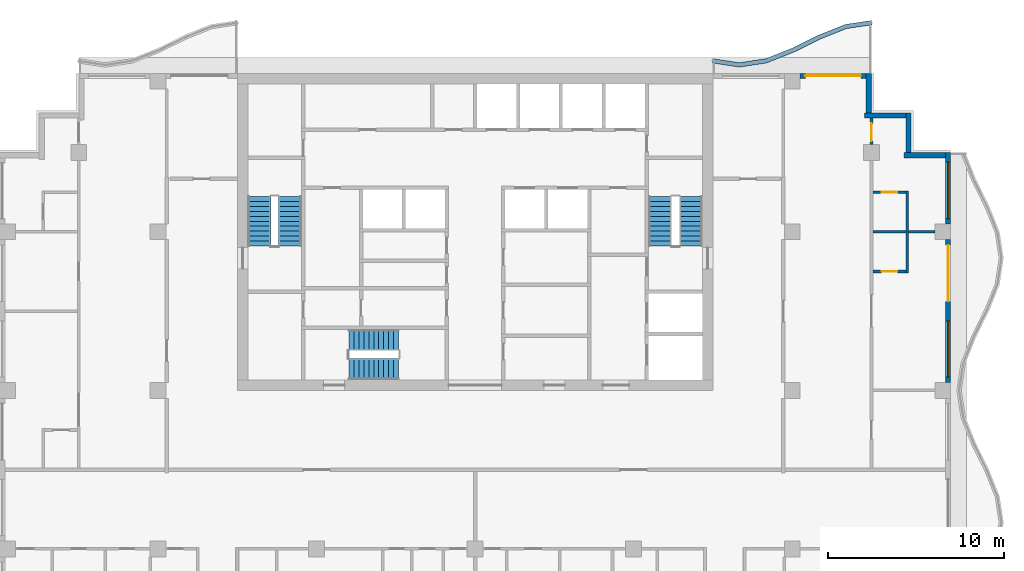
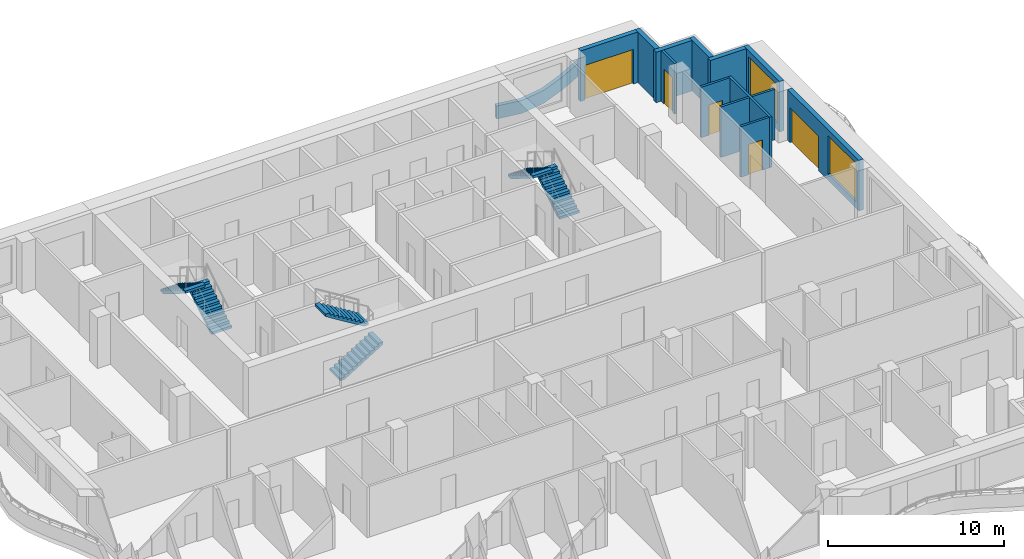
# One storey, part 7 of 11: 14 walls, 6 stair flights, 5 doors, 2 windows, 7 openings, 3 elements without a shape of their own.
"""IFC4 building model written with IfcOpenShell, lengths in metres."""

from ifc_helpers import new_model, si_unit, direction, frame, frame_2d, origin, place, context, subcontext, project, spatial, polyline, rectangle, outline, extrude, material, layer, layer_set, type_object, element, fill, aggregate, save


model = new_model("IFC4")

# Units and contexts
model_context = context("Model", 3, precision=1e-05, world=origin(), true_north=direction((0.0, 1.0)))
body_context = subcontext(model_context, "Body", "Model", "MODEL_VIEW")
ifc_project = project(units=[si_unit("LENGTHUNIT", "METRE"), si_unit("AREAUNIT", "SQUARE_METRE"), si_unit("VOLUMEUNIT", "CUBIC_METRE"), si_unit("PLANEANGLEUNIT", "RADIAN"), si_unit("MASSUNIT", "GRAM", prefix="KILO")], contexts=[model_context])

# Site, building, storey
site_placement = place(None, origin())
site = spatial("IfcSite", under=ifc_project, at=site_placement, CompositionType="ELEMENT")
building_placement = place(site_placement, origin())
building = spatial("IfcBuilding", under=site, at=building_placement, Name="Orbiselva Terraces", CompositionType="ELEMENT")
storey_placement = place(building_placement, frame((0.0, 0.0, 280.6)))
storey = spatial("IfcBuildingStorey", under=building, at=storey_placement, Name="L71", CompositionType="ELEMENT", Elevation=280.6)

# Wall
ifc_material_1 = material(Name="Concrete C40/50", Category="concrete")
ifc_layer_1 = layer(ifc_material_1, 0.25)
ifc_layer_set_1 = layer_set([ifc_layer_1], Name="Concrete C40/50")
wall_type_1 = type_object("IfcWallType", Name="ENV-PLANTER-250x900", PredefinedType="USERDEFINED", material=ifc_layer_set_1)
wall_1_placement = place(storey_placement, origin())
element("IfcWall", 1, at=wall_1_placement, inside=storey, type_object=wall_type_1, Name="Balcony planter L71 NE", ObjectType="PLANTER", PredefinedType="USERDEFINED", context=body_context, shape_type="SweptSolid", body=[
    extrude(outline(polyline([(22.5, 25.5), (21.0, 25.27082), (19.5, 24.67082), (18.0, 23.92918), (16.5, 23.32918), (15.0, 23.1), (13.5, 23.32918), (13.462242, 23.082048), (15.0, 22.847099), (16.566166, 23.086388), (18.101983, 23.700715), (19.601983, 24.442355), (21.066166, 25.028028), (22.537758, 25.252868), (22.5, 25.5)])), origin(), (0.0, 0.0, 1.0), 0.9),
])

# Wall, openings, door, window
ifc_material_2 = material(Name="Terracotta cladding on masonry backing", Category="masonry")
ifc_layer_2 = layer(ifc_material_2, 0.3)
ifc_layer_set_2 = layer_set([ifc_layer_2], Name="Terracotta cladding on masonry backing")
wall_type_2 = type_object("IfcWallType", Name="ENV-WALL-TERRACOTTA-300", PredefinedType="SOLIDWALL", material=ifc_layer_set_2)
wall_2_placement = place(storey_placement, frame((26.85, 13.05, 0.0), z_axis=(0.0, 0.0, 1.0), x_axis=(0.0, -1.0, 0.0)))
wall_2 = element("IfcWall", 2, at=wall_2_placement, inside=storey, type_object=wall_type_2, Name="Facade wall L71 E", PredefinedType="SOLIDWALL", context=body_context, shape_type="SweptSolid", body=[
    extrude(rectangle(XDim=8.1, YDim=0.3, at=frame_2d((4.05, 0.0))), origin(), (0.0, 0.0, 1.0), 3.5),
])
opening_1_placement = place(wall_2_placement, frame((4.6, 0.0, 0.45)))
opening_1 = element("IfcOpeningElement", 3, at=opening_1_placement, cuts=wall_2, Name="Opening WN17", PredefinedType="OPENING", context=body_context, shape_type="SweptSolid", body=[
    extrude(rectangle(XDim=3.2, YDim=2.65, at=frame_2d((1.6, 1.325))), frame((0.0, 0.16, 0.0), z_axis=(0.0, -1.0, 0.0), x_axis=(1.0, 0.0, 0.0)), (0.0, 0.0, 1.0), 0.32),
])
opening_2_placement = place(wall_2_placement, frame((0.3, 0.0, 0.0)))
opening_2 = element("IfcOpeningElement", 4, at=opening_2_placement, cuts=wall_2, Name="Opening Z5-D-E15", PredefinedType="OPENING", context=body_context, shape_type="SweptSolid", body=[
    extrude(rectangle(XDim=3.2, YDim=2.4, at=frame_2d((1.6, 1.2))), frame((0.0, 0.16, 0.0), z_axis=(0.0, -1.0, 0.0), x_axis=(1.0, 0.0, 0.0)), (0.0, 0.0, 1.0), 0.32),
])
ifc_material_3 = material(Name="Clear low-e glazing in aluminium frame", Category="aluminium")
door_type_1 = type_object("IfcDoorType", Name="BALCONY DOOR 3200 X 2400", OperationType="DOUBLE_DOOR_SLIDING", PredefinedType="DOOR", material=ifc_material_3)
door_1_placement = place(opening_2_placement, origin())
door_1 = element("IfcDoor", 5, at=door_1_placement, inside=storey, type_object=door_type_1, Name="Z5-D-E15", OperationType="SINGLE_SWING_LEFT", OverallHeight=2.4, OverallWidth=3.2, PredefinedType="DOOR", context=body_context, shape_type="SweptSolid", body=[
    extrude(rectangle(XDim=3.2, YDim=2.4, at=frame_2d((1.6, 1.2))), frame((0.0, 0.025, 0.0), z_axis=(0.0, -1.0, 0.0), x_axis=(1.0, 0.0, 0.0)), (0.0, 0.0, 1.0), 0.05),
])
fill(opening_2, door_1)
window_type = type_object("IfcWindowType", Name="WINDOW 3200 X 2650 S450", PartitioningType="TRIPLE_PANEL_VERTICAL", PredefinedType="WINDOW", material=ifc_material_3)
window_1_placement = place(opening_1_placement, origin())
window_1 = element("IfcWindow", 6, at=window_1_placement, inside=storey, type_object=window_type, Name="Window L71 E", OverallHeight=2.65, OverallWidth=3.2, PartitioningType="SINGLE_PANEL", PredefinedType="WINDOW", context=body_context, shape_type="SweptSolid", body=[
    extrude(rectangle(XDim=3.2, YDim=2.65, at=frame_2d((1.6, 1.325))), frame((0.0, 0.03, 0.0), z_axis=(0.0, -1.0, 0.0), x_axis=(1.0, 0.0, 0.0)), (0.0, 0.0, 1.0), 0.06),
])
fill(opening_1, window_1)

# Wall, opening, window
wall_3_placement = place(storey_placement, frame((26.85, 18.0, 0.0), z_axis=(0.0, 0.0, 1.0), x_axis=(0.0, -1.0, 0.0)))
wall_3 = element("IfcWall", 7, at=wall_3_placement, inside=storey, type_object=wall_type_2, Name="Facade wall L71 E", PredefinedType="SOLIDWALL", context=body_context, shape_type="SweptSolid", body=[
    extrude(rectangle(XDim=4.05, YDim=0.3, at=frame_2d((2.025, 0.0))), origin(), (0.0, 0.0, 1.0), 3.5),
])
opening_3_placement = place(wall_3_placement, frame((0.55, 0.0, 0.45)))
opening_3 = element("IfcOpeningElement", 8, at=opening_3_placement, cuts=wall_3, Name="Opening WN17", PredefinedType="OPENING", context=body_context, shape_type="SweptSolid", body=[
    extrude(rectangle(XDim=3.2, YDim=2.65, at=frame_2d((1.6, 1.325))), frame((0.0, 0.16, 0.0), z_axis=(0.0, -1.0, 0.0), x_axis=(1.0, 0.0, 0.0)), (0.0, 0.0, 1.0), 0.32),
])
window_2_placement = place(opening_3_placement, origin())
window_2 = element("IfcWindow", 9, at=window_2_placement, inside=storey, type_object=window_type, Name="Window L71 E", OverallHeight=2.65, OverallWidth=3.2, PartitioningType="SINGLE_PANEL", PredefinedType="WINDOW", context=body_context, shape_type="SweptSolid", body=[
    extrude(rectangle(XDim=3.2, YDim=2.65, at=frame_2d((1.6, 1.325))), frame((0.0, 0.03, 0.0), z_axis=(0.0, -1.0, 0.0), x_axis=(1.0, 0.0, 0.0)), (0.0, 0.0, 1.0), 0.06),
])
fill(opening_3, window_2)

# Walls
wall_4_placement = place(storey_placement, frame((24.35, 17.85, 0.0), z_axis=(0.0, 0.0, 1.0), x_axis=(1.0, 0.0, 0.0)))
element("IfcWall", 10, at=wall_4_placement, inside=storey, type_object=wall_type_2, Name="Facade wall L71 STEP", PredefinedType="SOLIDWALL", context=body_context, shape_type="SweptSolid", body=[
    extrude(rectangle(XDim=2.35, YDim=0.3, at=frame_2d((1.175, 0.0))), origin(), (0.0, 0.0, 1.0), 3.5),
])
wall_5_placement = place(storey_placement, frame((24.6, 20.25, 0.0), z_axis=(0.0, 0.0, 1.0), x_axis=(0.0, -1.0, 0.0)))
element("IfcWall", 11, at=wall_5_placement, inside=storey, type_object=wall_type_2, Name="Facade wall L71 STEP", PredefinedType="SOLIDWALL", context=body_context, shape_type="SweptSolid", body=[
    extrude(rectangle(XDim=2.25, YDim=0.3, at=frame_2d((1.125, 0.0))), origin(), (0.0, 0.0, 1.0), 3.5),
])
wall_6_placement = place(storey_placement, frame((22.1, 20.1, 0.0), z_axis=(0.0, 0.0, 1.0), x_axis=(1.0, 0.0, 0.0)))
element("IfcWall", 12, at=wall_6_placement, inside=storey, type_object=wall_type_2, Name="Facade wall L71 STEP", PredefinedType="SOLIDWALL", context=body_context, shape_type="SweptSolid", body=[
    extrude(rectangle(XDim=2.35, YDim=0.3, at=frame_2d((1.175, 0.0))), origin(), (0.0, 0.0, 1.0), 3.5),
])
wall_7_placement = place(storey_placement, frame((22.35, 22.5, 0.0), z_axis=(0.0, 0.0, 1.0), x_axis=(0.0, -1.0, 0.0)))
element("IfcWall", 13, at=wall_7_placement, inside=storey, type_object=wall_type_2, Name="Facade wall L71 STEP", PredefinedType="SOLIDWALL", context=body_context, shape_type="SweptSolid", body=[
    extrude(rectangle(XDim=2.25, YDim=0.3, at=frame_2d((1.125, 0.0))), origin(), (0.0, 0.0, 1.0), 3.5),
])

# Wall, opening, door
wall_8_placement = place(storey_placement, frame((18.45, 22.35, 0.0), z_axis=(0.0, 0.0, 1.0), x_axis=(1.0, 0.0, 0.0)))
wall_8 = element("IfcWall", 14, at=wall_8_placement, inside=storey, type_object=wall_type_2, Name="Facade wall L71 NE", PredefinedType="SOLIDWALL", context=body_context, shape_type="SweptSolid", body=[
    extrude(rectangle(XDim=3.75, YDim=0.3, at=frame_2d((1.875, 0.0))), origin(), (0.0, 0.0, 1.0), 3.5),
])
opening_4_placement = place(wall_8_placement, frame((0.3, 0.0, 0.0)))
opening_4 = element("IfcOpeningElement", 15, at=opening_4_placement, cuts=wall_8, Name="Opening Z5-D-E07", PredefinedType="OPENING", context=body_context, shape_type="SweptSolid", body=[
    extrude(rectangle(XDim=3.15, YDim=2.4, at=frame_2d((1.575, 1.2))), frame((0.0, 0.16, 0.0), z_axis=(0.0, -1.0, 0.0), x_axis=(1.0, 0.0, 0.0)), (0.0, 0.0, 1.0), 0.32),
])
door_type_2 = type_object("IfcDoorType", Name="BALCONY DOOR 3150 X 2400", OperationType="DOUBLE_DOOR_SLIDING", PredefinedType="DOOR", material=ifc_material_3)
door_2_placement = place(opening_4_placement, origin())
door_2 = element("IfcDoor", 16, at=door_2_placement, inside=storey, type_object=door_type_2, Name="Z5-D-E07", OperationType="SINGLE_SWING_LEFT", OverallHeight=2.4, OverallWidth=3.15, PredefinedType="DOOR", context=body_context, shape_type="SweptSolid", body=[
    extrude(rectangle(XDim=3.15, YDim=2.4, at=frame_2d((1.575, 1.2))), frame((0.0, 0.025, 0.0), z_axis=(0.0, -1.0, 0.0), x_axis=(1.0, 0.0, 0.0)), (0.0, 0.0, 1.0), 0.05),
])
fill(opening_4, door_2)

ifc_material_4 = material(Name="Plasterboard on steel stud partition", Category="steel")
ifc_layer_3 = layer(ifc_material_4, 0.15)
ifc_layer_set_3 = layer_set([ifc_layer_3], Name="Plasterboard on steel stud partition")
wall_type_3 = type_object("IfcWallType", Name="UNIT-PARTITION-150", PredefinedType="PARTITIONING", material=ifc_layer_set_3)
wall_9_placement = place(storey_placement, frame((22.575, 11.25, 0.0), z_axis=(0.0, 0.0, 1.0), x_axis=(1.0, 0.0, 0.0)))
wall_9 = element("IfcWall", 17, at=wall_9_placement, inside=storey, type_object=wall_type_3, Name="PARTITION L71-033", PredefinedType="PARTITIONING", context=body_context, shape_type="SweptSolid", body=[
    extrude(rectangle(XDim=1.875, YDim=0.15, at=frame_2d((0.9375, 0.0))), origin(), (0.0, 0.0, 1.0), 3.5),
])
opening_5_placement = place(wall_9_placement, frame((0.5, 0.0, 0.0)))
opening_5 = element("IfcOpeningElement", 18, at=opening_5_placement, cuts=wall_9, Name="Opening Z5-D-12", PredefinedType="OPENING", context=body_context, shape_type="SweptSolid", body=[
    extrude(rectangle(XDim=0.9, YDim=2.1, at=frame_2d((0.45, 1.05))), frame((0.0, 0.085, 0.0), z_axis=(0.0, -1.0, 0.0), x_axis=(1.0, 0.0, 0.0)), (0.0, 0.0, 1.0), 0.17),
])
ifc_material_5 = material(Name="Painted timber door leaf", Category="wood")
door_type_3 = type_object("IfcDoorType", Name="BATH DOOR 900", OperationType="NOTDEFINED", PredefinedType="DOOR", material=ifc_material_5)
door_3_placement = place(opening_5_placement, origin())
door_3 = element("IfcDoor", 19, at=door_3_placement, inside=storey, type_object=door_type_3, Name="Z5-D-12", OperationType="SINGLE_SWING_RIGHT", OverallHeight=2.1, OverallWidth=0.9, PredefinedType="DOOR", context=body_context, shape_type="SweptSolid", body=[
    extrude(rectangle(XDim=0.9, YDim=2.1, at=frame_2d((0.45, 1.05))), frame((0.0, 0.025, 0.0), z_axis=(0.0, -1.0, 0.0), x_axis=(1.0, 0.0, 0.0)), (0.0, 0.0, 1.0), 0.05),
])
fill(opening_5, door_3)

# Walls
wall_10_placement = place(storey_placement, frame((22.575, 13.5, 0.0), z_axis=(0.0, 0.0, 1.0), x_axis=(1.0, 0.0, 0.0)))
element("IfcWall", 20, at=wall_10_placement, inside=storey, type_object=wall_type_3, Name="PARTITION L71-035", PredefinedType="PARTITIONING", context=body_context, shape_type="SweptSolid", body=[
    extrude(rectangle(XDim=1.875, YDim=0.15, at=frame_2d((0.9375, 0.0))), origin(), (0.0, 0.0, 1.0), 3.5),
])
wall_11_placement = place(storey_placement, frame((24.6, 13.5, 0.0), z_axis=(0.0, 0.0, 1.0), x_axis=(1.0, 0.0, 0.0)))
element("IfcWall", 21, at=wall_11_placement, inside=storey, type_object=wall_type_3, Name="PARTITION L71-036", PredefinedType="PARTITIONING", context=body_context, shape_type="SweptSolid", body=[
    extrude(rectangle(XDim=1.5, YDim=0.15, at=frame_2d((0.75, 0.0))), origin(), (0.0, 0.0, 1.0), 3.5),
])

# Wall, opening, door
wall_12_placement = place(storey_placement, frame((24.45, 15.75, 0.0), z_axis=(0.0, 0.0, 1.0), x_axis=(-1.0, 0.0, 0.0)))
wall_12 = element("IfcWall", 22, at=wall_12_placement, inside=storey, type_object=wall_type_3, Name="PARTITION L71-038", PredefinedType="PARTITIONING", context=body_context, shape_type="SweptSolid", body=[
    extrude(rectangle(XDim=1.875, YDim=0.15, at=frame_2d((0.9375, 0.0))), origin(), (0.0, 0.0, 1.0), 3.5),
])
opening_6_placement = place(wall_12_placement, frame((0.475, 0.0, 0.0)))
opening_6 = element("IfcOpeningElement", 23, at=opening_6_placement, cuts=wall_12, Name="Opening Z5-D-14", PredefinedType="OPENING", context=body_context, shape_type="SweptSolid", body=[
    extrude(rectangle(XDim=0.9, YDim=2.1, at=frame_2d((0.45, 1.05))), frame((0.0, 0.085, 0.0), z_axis=(0.0, -1.0, 0.0), x_axis=(1.0, 0.0, 0.0)), (0.0, 0.0, 1.0), 0.17),
])
door_4_placement = place(opening_6_placement, origin())
door_4 = element("IfcDoor", 24, at=door_4_placement, inside=storey, type_object=door_type_3, Name="Z5-D-14", OperationType="SINGLE_SWING_LEFT", OverallHeight=2.1, OverallWidth=0.9, PredefinedType="DOOR", context=body_context, shape_type="SweptSolid", body=[
    extrude(rectangle(XDim=0.9, YDim=2.1, at=frame_2d((0.45, 1.05))), frame((0.0, 0.025, 0.0), z_axis=(0.0, -1.0, 0.0), x_axis=(1.0, 0.0, 0.0)), (0.0, 0.0, 1.0), 0.05),
])
fill(opening_6, door_4)

wall_13_placement = place(storey_placement, frame((22.5, 19.95, 0.0), z_axis=(0.0, 0.0, 1.0), x_axis=(0.0, -1.0, 0.0)))
wall_13 = element("IfcWall", 25, at=wall_13_placement, inside=storey, type_object=wall_type_3, Name="PARTITION L71-089", PredefinedType="PARTITIONING", context=body_context, shape_type="SweptSolid", body=[
    extrude(rectangle(XDim=1.5, YDim=0.15, at=frame_2d((0.75, 0.0))), origin(), (0.0, 0.0, 1.0), 3.5),
])
opening_7_placement = place(wall_13_placement, frame((0.3, 0.0, 0.0)))
opening_7 = element("IfcOpeningElement", 26, at=opening_7_placement, cuts=wall_13, Name="Opening Z5-D-13", PredefinedType="OPENING", context=body_context, shape_type="SweptSolid", body=[
    extrude(rectangle(XDim=1.0, YDim=2.4, at=frame_2d((0.5, 1.2))), frame((0.0, 0.085, 0.0), z_axis=(0.0, -1.0, 0.0), x_axis=(1.0, 0.0, 0.0)), (0.0, 0.0, 1.0), 0.17),
])
door_type_4 = type_object("IfcDoorType", Name="ROOM DOOR 1000", OperationType="NOTDEFINED", PredefinedType="DOOR", material=ifc_material_5)
door_5_placement = place(opening_7_placement, origin())
door_5 = element("IfcDoor", 27, at=door_5_placement, inside=storey, type_object=door_type_4, Name="Z5-D-13", OperationType="SINGLE_SWING_RIGHT", OverallHeight=2.4, OverallWidth=1.0, PredefinedType="DOOR", context=body_context, shape_type="SweptSolid", body=[
    extrude(rectangle(XDim=1.0, YDim=2.4, at=frame_2d((0.5, 1.2))), frame((0.0, 0.025, 0.0), z_axis=(0.0, -1.0, 0.0), x_axis=(1.0, 0.0, 0.0)), (0.0, 0.0, 1.0), 0.05),
])
fill(opening_7, door_5)

# Wall
wall_14_placement = place(storey_placement, frame((24.525, 11.175, 0.0), z_axis=(0.0, 0.0, 1.0), x_axis=(0.0, 1.0, 0.0)))
element("IfcWall", 28, at=wall_14_placement, inside=storey, type_object=wall_type_3, Name="PARTITION L71-091", PredefinedType="PARTITIONING", context=body_context, shape_type="SweptSolid", body=[
    extrude(rectangle(XDim=4.65, YDim=0.15, at=frame_2d((2.325, 0.0))), origin(), (0.0, 0.0, 1.0), 3.5),
])

# Stair, stair flights
stair_type_1 = type_object("IfcStairType", Name="CORE-STAIR-1200", PredefinedType="HALF_TURN_STAIR", material=ifc_material_1)
stair_1_placement = place(storey_placement, origin())
stair_1 = element("IfcStair", 29, at=stair_1_placement, inside=storey, type_object=stair_type_1, Name="L71 Exit Stair S3", PredefinedType="HALF_TURN_STAIR")
stair_flight_type_1 = type_object("IfcStairFlightType", Name="CORE-STAIR-FLIGHT-1200", PredefinedType="STRAIGHT", material=ifc_material_1)
stair_flight_1_placement = place(storey_placement, frame((-7.15, 5.7, 0.0), z_axis=(0.0, 0.0, 1.0), x_axis=(1.0, 0.0, 0.0)))
stair_flight_1 = element("IfcStairFlight", 30, at=stair_flight_1_placement, type_object=stair_flight_type_1, Name="S3 flight 1", NumberOfRisers=11, NumberOfTreads=10, PredefinedType="STRAIGHT", RiserHeight=0.172727273, TreadLength=0.28, context=body_context, shape_type="SweptSolid", body=[
    extrude(outline(polyline([(0.0, 0.0), (0.0, 0.172727), (0.28, 0.172727), (0.28, 0.345455), (0.56, 0.345455), (0.56, 0.518182), (0.84, 0.518182), (0.84, 0.690909), (1.12, 0.690909), (1.12, 0.863636), (1.4, 0.863636), (1.4, 1.036364), (1.68, 1.036364), (1.68, 1.209091), (1.96, 1.209091), (1.96, 1.381818), (2.24, 1.381818), (2.24, 1.554545), (2.52, 1.554545), (2.52, 1.727273), (2.8, 1.727273), (2.8, 1.9), (2.8, 1.551028), (0.285702, 0.0), (0.0, 0.0)])), frame((0.0, 0.6, 0.0), z_axis=(0.0, -1.0, 0.0), x_axis=(1.0, 0.0, 0.0)), (0.0, 0.0, 1.0), 1.2),
])
stair_flight_2_placement = place(storey_placement, frame((-4.35, 7.35, 1.9), z_axis=(0.0, 0.0, 1.0), x_axis=(-1.0, 0.0, 0.0)))
stair_flight_2 = element("IfcStairFlight", 31, at=stair_flight_2_placement, type_object=stair_flight_type_1, Name="S3 flight 2", NumberOfRisers=11, NumberOfTreads=10, PredefinedType="STRAIGHT", RiserHeight=0.172727273, TreadLength=0.28, context=body_context, shape_type="SweptSolid", body=[
    extrude(outline(polyline([(0.0, 0.0), (0.0, 0.172727), (0.28, 0.172727), (0.28, 0.345455), (0.56, 0.345455), (0.56, 0.518182), (0.84, 0.518182), (0.84, 0.690909), (1.12, 0.690909), (1.12, 0.863636), (1.4, 0.863636), (1.4, 1.036364), (1.68, 1.036364), (1.68, 1.209091), (1.96, 1.209091), (1.96, 1.381818), (2.24, 1.381818), (2.24, 1.554545), (2.52, 1.554545), (2.52, 1.727273), (2.8, 1.727273), (2.8, 1.9), (2.8, 1.551028), (0.285702, 0.0), (0.0, 0.0)])), frame((0.0, 0.6, 0.0), z_axis=(0.0, -1.0, 0.0), x_axis=(1.0, 0.0, 0.0)), (0.0, 0.0, 1.0), 1.2),
])
aggregate(stair_1, [stair_flight_1, stair_flight_2])

stair_type_2 = type_object("IfcStairType", Name="CORE-STAIR-1300", PredefinedType="HALF_TURN_STAIR", material=ifc_material_1)
stair_2_placement = place(storey_placement, origin())
stair_2 = element("IfcStair", 32, at=stair_2_placement, inside=storey, type_object=stair_type_2, Name="L71 Exit Stair S1", PredefinedType="HALF_TURN_STAIR")
stair_flight_type_2 = type_object("IfcStairFlightType", Name="CORE-STAIR-FLIGHT-1300", PredefinedType="STRAIGHT", material=ifc_material_1)
stair_flight_3_placement = place(storey_placement, frame((-10.5, 12.7, 0.0), z_axis=(0.0, 0.0, 1.0), x_axis=(0.0, 1.0, 0.0)))
stair_flight_3 = element("IfcStairFlight", 33, at=stair_flight_3_placement, type_object=stair_flight_type_2, Name="S1 flight 1", NumberOfRisers=11, NumberOfTreads=10, PredefinedType="STRAIGHT", RiserHeight=0.172727273, TreadLength=0.28, context=body_context, shape_type="SweptSolid", body=[
    extrude(outline(polyline([(0.0, 0.0), (0.0, 0.172727), (0.28, 0.172727), (0.28, 0.345455), (0.56, 0.345455), (0.56, 0.518182), (0.84, 0.518182), (0.84, 0.690909), (1.12, 0.690909), (1.12, 0.863636), (1.4, 0.863636), (1.4, 1.036364), (1.68, 1.036364), (1.68, 1.209091), (1.96, 1.209091), (1.96, 1.381818), (2.24, 1.381818), (2.24, 1.554545), (2.52, 1.554545), (2.52, 1.727273), (2.8, 1.727273), (2.8, 1.9), (2.8, 1.551028), (0.285702, 0.0), (0.0, 0.0)])), frame((0.0, 0.65, 0.0), z_axis=(0.0, -1.0, 0.0), x_axis=(1.0, 0.0, 0.0)), (0.0, 0.0, 1.0), 1.3),
])
stair_flight_4_placement = place(storey_placement, frame((-12.25, 15.5, 1.9), z_axis=(0.0, 0.0, 1.0), x_axis=(0.0, -1.0, 0.0)))
stair_flight_4 = element("IfcStairFlight", 34, at=stair_flight_4_placement, type_object=stair_flight_type_2, Name="S1 flight 2", NumberOfRisers=11, NumberOfTreads=10, PredefinedType="STRAIGHT", RiserHeight=0.172727273, TreadLength=0.28, context=body_context, shape_type="SweptSolid", body=[
    extrude(outline(polyline([(0.0, 0.0), (0.0, 0.172727), (0.28, 0.172727), (0.28, 0.345455), (0.56, 0.345455), (0.56, 0.518182), (0.84, 0.518182), (0.84, 0.690909), (1.12, 0.690909), (1.12, 0.863636), (1.4, 0.863636), (1.4, 1.036364), (1.68, 1.036364), (1.68, 1.209091), (1.96, 1.209091), (1.96, 1.381818), (2.24, 1.381818), (2.24, 1.554545), (2.52, 1.554545), (2.52, 1.727273), (2.8, 1.727273), (2.8, 1.9), (2.8, 1.551028), (0.285702, 0.0), (0.0, 0.0)])), frame((0.0, 0.65, 0.0), z_axis=(0.0, -1.0, 0.0), x_axis=(1.0, 0.0, 0.0)), (0.0, 0.0, 1.0), 1.3),
])
aggregate(stair_2, [stair_flight_3, stair_flight_4])

stair_3_placement = place(storey_placement, origin())
stair_3 = element("IfcStair", 35, at=stair_3_placement, inside=storey, type_object=stair_type_2, Name="L71 Exit Stair S2", PredefinedType="HALF_TURN_STAIR")
stair_flight_5_placement = place(storey_placement, frame((12.25, 12.7, 0.0), z_axis=(0.0, 0.0, 1.0), x_axis=(0.0, 1.0, 0.0)))
stair_flight_5 = element("IfcStairFlight", 36, at=stair_flight_5_placement, type_object=stair_flight_type_2, Name="S2 flight 1", NumberOfRisers=11, NumberOfTreads=10, PredefinedType="STRAIGHT", RiserHeight=0.172727273, TreadLength=0.28, context=body_context, shape_type="SweptSolid", body=[
    extrude(outline(polyline([(0.0, 0.0), (0.0, 0.172727), (0.28, 0.172727), (0.28, 0.345455), (0.56, 0.345455), (0.56, 0.518182), (0.84, 0.518182), (0.84, 0.690909), (1.12, 0.690909), (1.12, 0.863636), (1.4, 0.863636), (1.4, 1.036364), (1.68, 1.036364), (1.68, 1.209091), (1.96, 1.209091), (1.96, 1.381818), (2.24, 1.381818), (2.24, 1.554545), (2.52, 1.554545), (2.52, 1.727273), (2.8, 1.727273), (2.8, 1.9), (2.8, 1.551028), (0.285702, 0.0), (0.0, 0.0)])), frame((0.0, 0.65, 0.0), z_axis=(0.0, -1.0, 0.0), x_axis=(1.0, 0.0, 0.0)), (0.0, 0.0, 1.0), 1.3),
])
stair_flight_6_placement = place(storey_placement, frame((10.5, 15.5, 1.9), z_axis=(0.0, 0.0, 1.0), x_axis=(0.0, -1.0, 0.0)))
stair_flight_6 = element("IfcStairFlight", 37, at=stair_flight_6_placement, type_object=stair_flight_type_2, Name="S2 flight 2", NumberOfRisers=11, NumberOfTreads=10, PredefinedType="STRAIGHT", RiserHeight=0.172727273, TreadLength=0.28, context=body_context, shape_type="SweptSolid", body=[
    extrude(outline(polyline([(0.0, 0.0), (0.0, 0.172727), (0.28, 0.172727), (0.28, 0.345455), (0.56, 0.345455), (0.56, 0.518182), (0.84, 0.518182), (0.84, 0.690909), (1.12, 0.690909), (1.12, 0.863636), (1.4, 0.863636), (1.4, 1.036364), (1.68, 1.036364), (1.68, 1.209091), (1.96, 1.209091), (1.96, 1.381818), (2.24, 1.381818), (2.24, 1.554545), (2.52, 1.554545), (2.52, 1.727273), (2.8, 1.727273), (2.8, 1.9), (2.8, 1.551028), (0.285702, 0.0), (0.0, 0.0)])), frame((0.0, 0.65, 0.0), z_axis=(0.0, -1.0, 0.0), x_axis=(1.0, 0.0, 0.0)), (0.0, 0.0, 1.0), 1.3),
])
aggregate(stair_3, [stair_flight_5, stair_flight_6])

save(model, "model.ifc")
